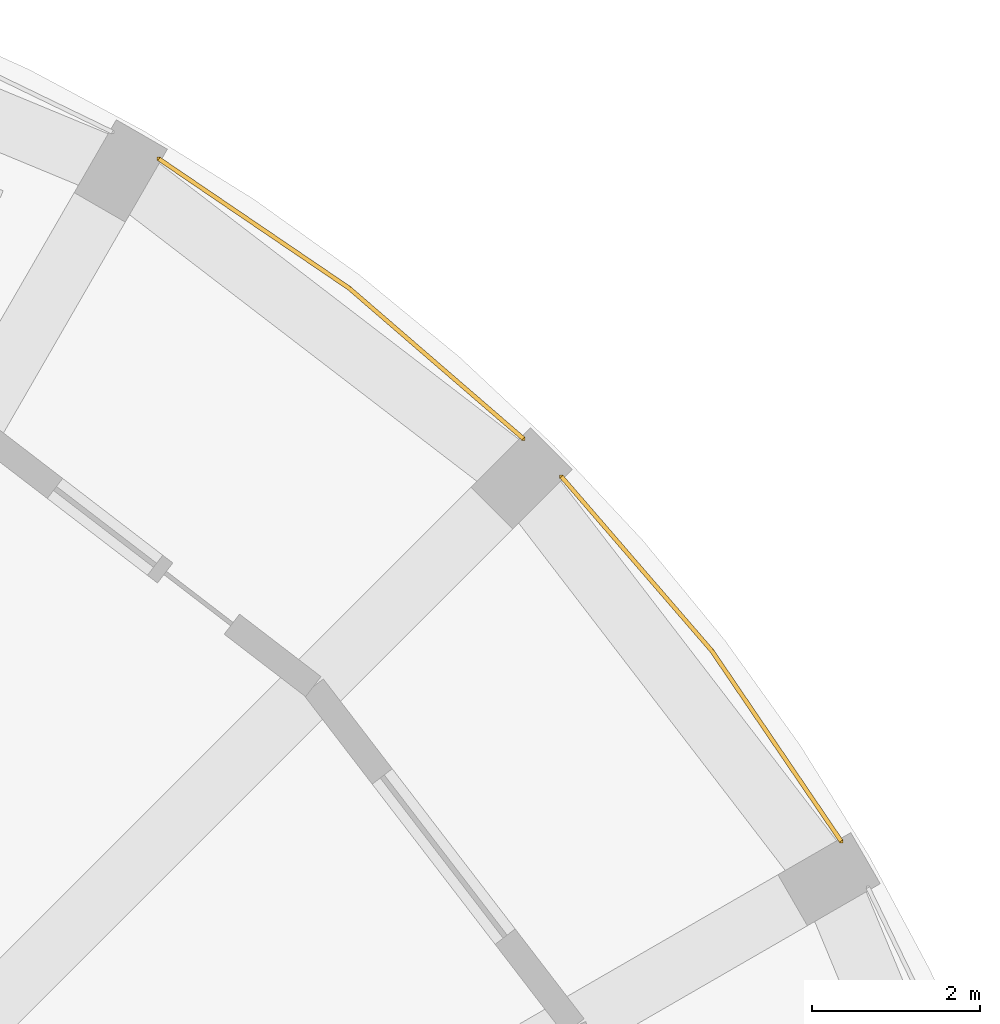
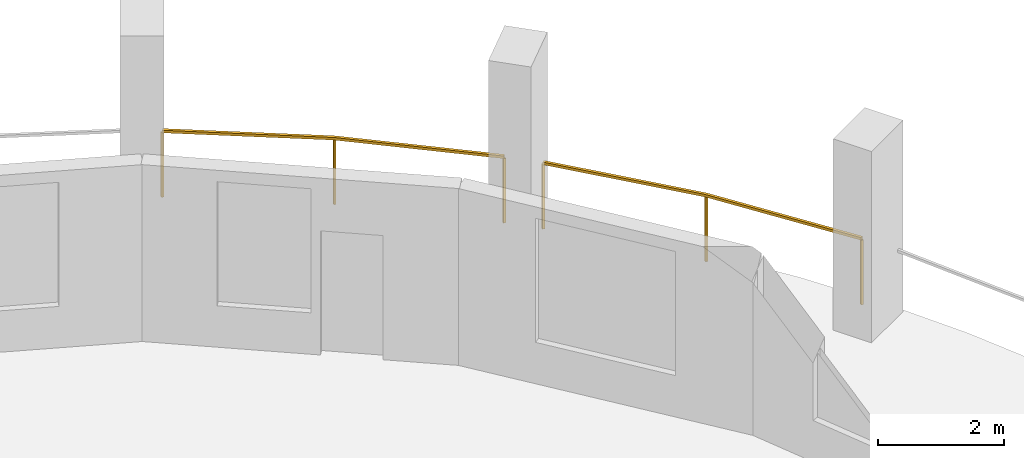
# One storey, part 9 of 9: 2 railings.
"""IFC4 building model written with IfcOpenShell, lengths in metres."""

from ifc_helpers import new_model, si_unit, direction, frame, origin, origin_2d, place, context, subcontext, project, spatial, rectangle, extrude, material, type_object, element, save


model = new_model("IFC4")

# Units and contexts
model_context = context("Model", 3, precision=1e-05, world=origin(), true_north=direction((0.0, 1.0)))
body_context = subcontext(model_context, "Body", "Model", "MODEL_VIEW")
ifc_project = project(units=[si_unit("LENGTHUNIT", "METRE"), si_unit("AREAUNIT", "SQUARE_METRE"), si_unit("VOLUMEUNIT", "CUBIC_METRE"), si_unit("PLANEANGLEUNIT", "RADIAN"), si_unit("MASSUNIT", "GRAM", prefix="KILO")], contexts=[model_context])

# Site, building, storey
site_placement = place(None, origin())
site = spatial("IfcSite", under=ifc_project, at=site_placement, CompositionType="ELEMENT")
building_placement = place(site_placement, origin())
building = spatial("IfcBuilding", under=site, at=building_placement, Name="Torre Triforio", CompositionType="ELEMENT")
storey_placement = place(building_placement, frame((0.0, 0.0, 211.300048828125)))
storey = spatial("IfcBuildingStorey", under=building, at=storey_placement, Name="L48", CompositionType="ELEMENT", Elevation=211.300048828125)

# Railings
ifc_material = material(Name="Stainless steel AISI 316", Category="steel")
railing_type = type_object("IfcRailingType", Name="Loggia guard 1300", PredefinedType="GUARDRAIL", material=ifc_material)
railing_1_placement = place(storey_placement, frame((20.061767578125, 11.9521484375, 0.0)))
element("IfcRailing", 1, at=railing_1_placement, inside=storey, type_object=railing_type, Name="Loggia guard L48 bay 03", PredefinedType="GUARDRAIL", context=body_context, shape_type="SweptSolid", body=[
    extrude(rectangle(XDim=0.050048828125, YDim=0.050048828125, at=origin_2d()), frame((0.0, 0.0, 1.27490234375), z_axis=(-0.561909542334, 0.827198686069, 0.0), x_axis=(-0.827198686069, -0.561909542334, 0.0)), (0.0, 0.0, 1.0), 2.735107421875),
    extrude(rectangle(XDim=0.050048828125, YDim=0.050048828125, at=origin_2d()), frame((-1.536865234375, 2.262451171875, 1.27490234375), z_axis=(-0.653580361536, 0.756857127214, 0.0), x_axis=(-0.756857127214, -0.653580361536, 0.0)), (0.0, 0.0, 1.0), 2.735107421875),
    extrude(rectangle(XDim=0.0400390625, YDim=0.0400390625, at=origin_2d()), origin(), (0.0, 0.0, 1.0), 1.25),
    extrude(rectangle(XDim=0.0400390625, YDim=0.0400390625, at=origin_2d()), frame((-1.536865234375, 2.262451171875, 0.0)), (0.0, 0.0, 1.0), 1.25),
    extrude(rectangle(XDim=0.0400390625, YDim=0.0400390625, at=origin_2d()), frame((-3.324462890625, 4.33251953125, 0.0)), (0.0, 0.0, 1.0), 1.25),
])
railing_2_placement = place(storey_placement, frame((16.28466796875, 16.7373046875, 0.0)))
element("IfcRailing", 2, at=railing_2_placement, inside=storey, type_object=railing_type, Name="Loggia guard L48 bay 04", PredefinedType="GUARDRAIL", context=body_context, shape_type="SweptSolid", body=[
    extrude(rectangle(XDim=0.050048828125, YDim=0.050048828125, at=origin_2d()), frame((0.0, 0.0, 1.27490234375), z_axis=(-0.756857127214, 0.653580361536, 0.0), x_axis=(-0.653580361536, -0.756857127214, 0.0)), (0.0, 0.0, 1.0), 2.735107421875),
    extrude(rectangle(XDim=0.050048828125, YDim=0.050048828125, at=origin_2d()), frame((-2.070068359375, 1.78759765625, 1.27490234375), z_axis=(-0.827198686069, 0.561909542334, 0.0), x_axis=(-0.561909542334, -0.827198686069, 0.0)), (0.0, 0.0, 1.0), 2.735107421875),
    extrude(rectangle(XDim=0.0400390625, YDim=0.0400390625, at=origin_2d()), origin(), (0.0, 0.0, 1.0), 1.25),
    extrude(rectangle(XDim=0.0400390625, YDim=0.0400390625, at=origin_2d()), frame((-2.070068359375, 1.78759765625, 0.0)), (0.0, 0.0, 1.0), 1.25),
    extrude(rectangle(XDim=0.0400390625, YDim=0.0400390625, at=origin_2d()), frame((-4.33251953125, 3.324462890625, 0.0)), (0.0, 0.0, 1.0), 1.25),
])

save(model, "model.ifc")
